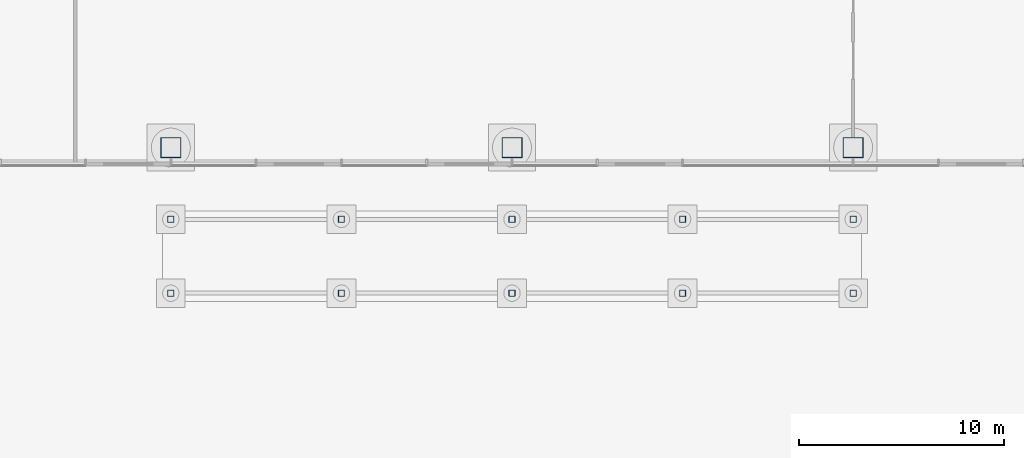
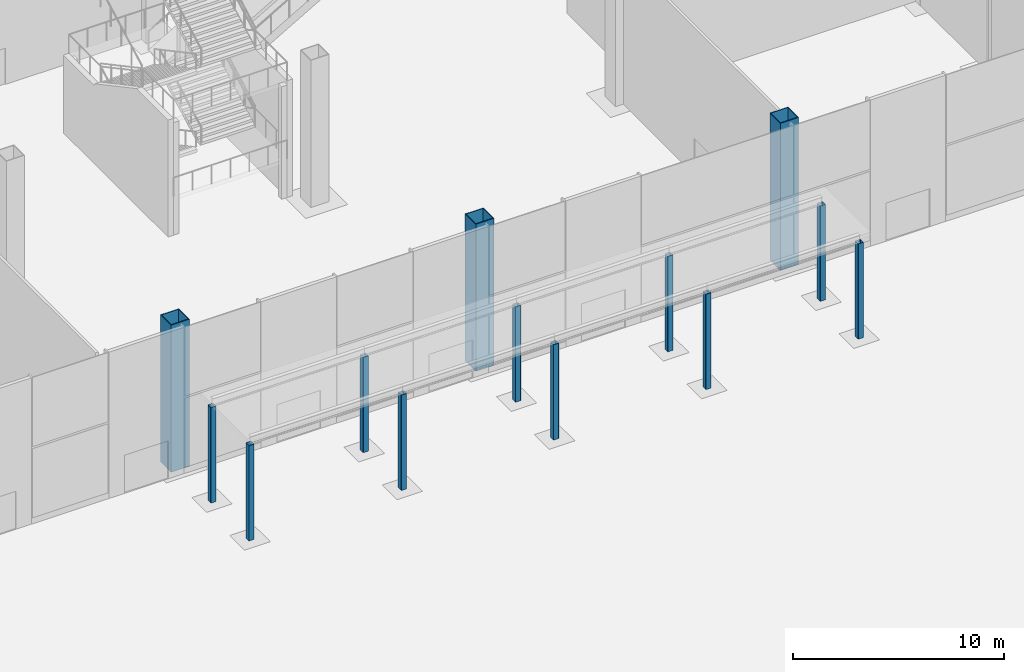
# One storey, part 16 of 113: 13 columns.
"""IFC4 building model written with IfcOpenShell, lengths in metres."""

import ifcopenshell
import ifcopenshell.guid

model = None  # the IFC model being written
_history = None  # IfcOwnerHistory: only IFC2X3 demands one
_inside = {}  # id of a spatial element -> (the spatial element, [elements in it])
_under = {}  # id of a project, library or spatial element -> (it, [spatial elements below it])
_declared = {}  # id of a project -> (the project, [libraries it declares])
_typed = {}  # id of a type object -> (the type object, [elements of that type])
_made_of = {}  # id of a material, layer set ... -> (it, [elements and type objects made of it])


def new_model(schema):
    """Start an empty IFC model of exactly this schema.

    Asked for "IFC4X3", IfcOpenShell would pick the latest addendum, in which some entities
    have other attributes; the version numbers below select the first issue.
    IFC2X3 requires an IfcOwnerHistory on every rooted entity: one is made here for all.
    """
    global model, _history
    if schema == "IFC4X3":
        model = ifcopenshell.file(schema_version=(4, 3, 0, 0))
    else:
        model = ifcopenshell.file(schema=schema)
    _inside.clear()
    _under.clear()
    _declared.clear()
    _typed.clear()
    _made_of.clear()
    _history = None
    if model.schema == "IFC2X3":
        org = make("IfcOrganization", Name="unknown")
        user = make(
            "IfcPersonAndOrganization",
            ThePerson=make("IfcPerson", FamilyName="unknown"),
            TheOrganization=org,
        )
        app = make(
            "IfcApplication",
            ApplicationDeveloper=org,
            Version="unknown",
            ApplicationFullName="unknown",
            ApplicationIdentifier="unknown",
        )
        _history = make(
            "IfcOwnerHistory",
            OwningUser=user,
            OwningApplication=app,
            ChangeAction="ADDED",
            CreationDate=0,
        )
    return model


def make(cls, **values):
    """One entity of the class cls with the attributes given. An attribute that is None is left unset."""
    return model.create_entity(
        cls, **{name: value for name, value in values.items() if value is not None}
    )


def rooted(cls, **values):
    """An entity with a GlobalId (a new one), such as an element, a storey or a relation."""
    return make(cls, GlobalId=ifcopenshell.guid.new(), OwnerHistory=_history, **values)


def si_unit(unit_type, name, prefix=None):
    """IfcSIUnit, for example si_unit("LENGTHUNIT", "METRE", prefix="MILLI")."""
    return make("IfcSIUnit", UnitType=unit_type, Prefix=prefix, Name=name)


def assignment(units):
    """IfcUnitAssignment: the units of a project."""
    return None if units is None else make("IfcUnitAssignment", Units=units)


def point(xyz):
    """IfcCartesianPoint."""
    return None if xyz is None else make("IfcCartesianPoint", Coordinates=xyz)


def direction(xyz):
    """IfcDirection."""
    return None if xyz is None else make("IfcDirection", DirectionRatios=xyz)


def frame(location, z_axis=None, x_axis=None):
    """IfcAxis2Placement3D, a coordinate frame: its origin and axes. An axis left out is left unset."""
    return make(
        "IfcAxis2Placement3D",
        Location=point(location),
        Axis=direction(z_axis),
        RefDirection=direction(x_axis),
    )


def frame_2d(location, x_axis=None):
    """IfcAxis2Placement2D, a coordinate frame in the plane: its origin and x axis."""
    return make(
        "IfcAxis2Placement2D", Location=point(location), RefDirection=direction(x_axis)
    )


def origin():
    """The frame at (0, 0, 0) with its axes left unset."""
    return frame((0.0, 0.0, 0.0))


def origin_2d():
    """The frame at (0, 0) in the plane with its x axis left unset."""
    return frame_2d((0.0, 0.0))


def place(relative_to, where):
    """IfcLocalPlacement: puts the frame where relative to a parent placement (None: the world)."""
    return make(
        "IfcLocalPlacement", PlacementRelTo=relative_to, RelativePlacement=where
    )


def context(
    kind, dimensions, precision=None, world=None, true_north=None, identifier=None
):
    """IfcGeometricRepresentationContext, for example the 3D "Model" context."""
    return make(
        "IfcGeometricRepresentationContext",
        ContextIdentifier=identifier,
        ContextType=kind,
        CoordinateSpaceDimension=dimensions,
        Precision=precision,
        WorldCoordinateSystem=world,
        TrueNorth=true_north,
    )


def subcontext(parent, identifier, kind, view, scale=None):
    """IfcGeometricRepresentationSubContext, for example "Body" below "Model"."""
    return make(
        "IfcGeometricRepresentationSubContext",
        ContextIdentifier=identifier,
        ContextType=kind,
        ParentContext=parent,
        TargetScale=scale,
        TargetView=view,
    )


def project(units=None, contexts=None):
    """IfcProject with its units and contexts."""
    return rooted(
        "IfcProject",
        Name="project",
        RepresentationContexts=contexts,
        UnitsInContext=assignment(units),
    )


def spatial(cls, under=None, at=None, **own):
    """A site, building, storey or space (cls), placed at a placement, below another one or the project."""
    s = rooted(cls, ObjectPlacement=at, **own)
    if under is not None:
        _under.setdefault(under.id(), (under, []))[1].append(s)
    return s


def profile(cls, at=None, kind="AREA", **sizes):
    """A parametric profile (cls). Its sizes go by their IFC names, for example OverallWidth=200.0."""
    return make(cls, ProfileType=kind, Position=at, **sizes)


def hollow_rectangle(**sizes):
    """IfcRectangleHollowProfileDef."""
    return profile("IfcRectangleHollowProfileDef", **sizes)


def extrude(swept, where, along, depth):
    """IfcExtrudedAreaSolid: the profile swept, set in the frame where, extruded along a direction by depth."""
    return make(
        "IfcExtrudedAreaSolid",
        SweptArea=swept,
        Position=where,
        ExtrudedDirection=direction(along),
        Depth=depth,
    )


def shape(context_of_items, identifier, shape_type, items):
    """IfcShapeRepresentation: the items that make up one representation, for example the "Body"."""
    return make(
        "IfcShapeRepresentation",
        ContextOfItems=context_of_items,
        RepresentationIdentifier=identifier,
        RepresentationType=shape_type,
        Items=items,
    )


def material(Name=None, Category=None):
    """IfcMaterial."""
    return make("IfcMaterial", Name=Name, Category=Category)


def material_profile(
    of_material, cross_section, Name=None, Category=None, Priority=None
):
    """IfcMaterialProfile: a cross section and its material."""
    return make(
        "IfcMaterialProfile",
        Name=Name,
        Material=of_material,
        Profile=cross_section,
        Priority=Priority,
        Category=Category,
    )


def profile_set(profiles, Name=None, composite=None):
    """IfcMaterialProfileSet."""
    return make(
        "IfcMaterialProfileSet",
        Name=Name,
        MaterialProfiles=profiles,
        CompositeProfile=composite,
    )


def made_of(thing, what):
    """Note that an element or type object is made of a material, layer set ...; save() writes the relation."""
    if what is not None:
        _made_of.setdefault(what.id(), (what, []))[1].append(thing)
    return thing


def type_object(cls, material=None, **own):
    """A type object (cls), such as IfcWallType, which elements share."""
    return made_of(rooted(cls, **own), material)


def element(
    cls,
    number,
    at=None,
    inside=None,
    cuts=None,
    type_object=None,
    material=None,
    context=None,
    identifier="Body",
    shape_type=None,
    held_by="IfcProductDefinitionShape",
    body=None,
    shapes=None,
    **own,
):
    """One element of the class cls, such as IfcWall. Its Tag is "e" and its number.

    at: its placement. inside: the storey or other place that contains it. cuts: it is an
    opening in that element (IfcRelVoidsElement). A single representation is given by context,
    identifier, shape_type and body (its items); several are given by shapes. held_by: the class
    of the entity that holds the representations. save() writes the other relations.
    """
    e = rooted(cls, Tag="e%d" % number, ObjectPlacement=at, **own)
    if body is not None:
        shapes = [shape(context, identifier, shape_type, body)]
    if shapes is not None:
        e.Representation = make(held_by, Representations=shapes)
    if inside is not None:
        _inside.setdefault(inside.id(), (inside, []))[1].append(e)
    if cuts is not None:
        rooted(
            "IfcRelVoidsElement", RelatingBuildingElement=cuts, RelatedOpeningElement=e
        )
    if type_object is not None:
        _typed.setdefault(type_object.id(), (type_object, []))[1].append(e)
    return made_of(e, material)


def aggregate(whole, parts):
    """IfcRelAggregates: a whole, such as a stair, and the parts it consists of."""
    return rooted("IfcRelAggregates", RelatingObject=whole, RelatedObjects=parts)


def save(model, path):
    """Write the relations noted so far, then the file.

    IfcRelAggregates (storeys below a building ...), IfcRelContainedInSpatialStructure (elements
    in a storey), IfcRelDefinesByType, IfcRelAssociatesMaterial and IfcRelDeclares: one each for
    every whole, place, type object, material and project.
    """
    for whole, parts in _under.values():
        aggregate(whole, parts)
    for where, things in _inside.values():
        rooted(
            "IfcRelContainedInSpatialStructure",
            RelatedElements=things,
            RelatingStructure=where,
        )
    for kind, things in _typed.values():
        rooted("IfcRelDefinesByType", RelatedObjects=things, RelatingType=kind)
    for what, things in _made_of.values():
        rooted("IfcRelAssociatesMaterial", RelatedObjects=things, RelatingMaterial=what)
    for by, libraries in _declared.values():
        rooted("IfcRelDeclares", RelatingContext=by, RelatedDefinitions=libraries)
    model.write(path)


model = new_model("IFC4")

# Units and contexts
model_context = context("Model", 3, precision=1e-05, world=origin(), true_north=direction((0.0, 1.0)))
body_context = subcontext(model_context, "Body", "Model", "MODEL_VIEW")
ifc_project = project(units=[si_unit("LENGTHUNIT", "METRE"), si_unit("AREAUNIT", "SQUARE_METRE"), si_unit("VOLUMEUNIT", "CUBIC_METRE"), si_unit("PLANEANGLEUNIT", "RADIAN"), si_unit("MASSUNIT", "GRAM", prefix="KILO")], contexts=[model_context])

# Site, building, storey
site_placement = place(None, origin())
site = spatial("IfcSite", under=ifc_project, at=site_placement, CompositionType="ELEMENT")
building_placement = place(site_placement, origin())
building = spatial("IfcBuilding", under=site, at=building_placement, Name="Hakoniwa Tower and Hamabe Station Hall", CompositionType="ELEMENT")
storey_placement = place(building_placement, origin())
storey = spatial("IfcBuildingStorey", under=building, at=storey_placement, Name="L01", CompositionType="ELEMENT", Elevation=0.0)

# Columns
ifc_material_1 = material(Name="Steel BCR295", Category="steel")
ifc_material_profile_1 = material_profile(ifc_material_1, hollow_rectangle(XDim=0.300048828125, YDim=0.300048828125, WallThickness=0.009033203125, InnerFilletRadius=0.013427734375, OuterFilletRadius=0.0224609375, at=origin_2d()), Name="BCR-300x300x9")
ifc_profile_set_1 = profile_set([ifc_material_profile_1], Name="Steel BCR295")
column_type_1 = type_object("IfcColumnType", Name="CANOPY COLUMN BCR-300x300x9", PredefinedType="COLUMN", material=ifc_profile_set_1)
for number, where, z_axis, x_axis, name in (
    (1, (110.909912109375, -26.89990234375, 0.0), (0.0, 0.0, 1.0), (1.0, 0.0, 0.0), "Canopy column S11"),
    (2, (119.22998046875, -26.89990234375, 0.0), (0.0, 0.0, 1.0), (1.0, 0.0, 0.0), "Canopy column S12"),
    (3, (127.550048828125, -26.89990234375, 0.0), (0.0, 0.0, 1.0), (1.0, 0.0, 0.0), "Canopy column S13"),
    (4, (135.8701171875, -26.89990234375, 0.0), (0.0, 0.0, 1.0), (1.0, 0.0, 0.0), "Canopy column S14"),
    (5, (144.18994140625, -26.89990234375, 0.0), (0.0, 0.0, 1.0), (1.0, 0.0, 0.0), "Canopy column S15"),
    (6, (110.909912109375, -30.5, 0.0), (0.0, 0.0, 1.0), (1.0, 0.0, 0.0), "Canopy column S21"),
    (7, (119.22998046875, -30.5, 0.0), (0.0, 0.0, 1.0), (1.0, 0.0, 0.0), "Canopy column S22"),
    (8, (127.550048828125, -30.5, 0.0), (0.0, 0.0, 1.0), (1.0, 0.0, 0.0), "Canopy column S23"),
    (9, (135.8701171875, -30.5, 0.0), (0.0, 0.0, 1.0), (1.0, 0.0, 0.0), "Canopy column S24"),
    (10, (144.18994140625, -30.5, 0.0), (0.0, 0.0, 1.0), (1.0, 0.0, 0.0), "Canopy column S25"),
):
    element("IfcColumn", number, at=place(storey_placement, frame(where, z_axis=z_axis, x_axis=x_axis)), inside=storey, type_object=column_type_1, Name=name, PredefinedType="COLUMN", context=body_context, shape_type="SweptSolid", body=[
        extrude(hollow_rectangle(XDim=0.300048828125, YDim=0.300048828125, WallThickness=0.009033203125, InnerFilletRadius=0.013427734375, OuterFilletRadius=0.0224609375, at=origin_2d()), origin(), (0.0, 0.0, 1.0), 5.5),
    ])
ifc_material_2 = material(Name="Steel BCP325", Category="steel")
ifc_material_profile_2 = material_profile(ifc_material_2, hollow_rectangle(XDim=1.0, YDim=1.0, WallThickness=0.0400390625, at=origin_2d()), Name="STATION BOX COLUMN 1000X1000X40")
ifc_profile_set_2 = profile_set([ifc_material_profile_2], Name="Steel BCP325")
column_type_2 = type_object("IfcColumnType", Name="STATION BOX COLUMN 1000X1000X40", PredefinedType="COLUMN", material=ifc_profile_set_2)
for number, where, z_axis, x_axis, name in (
    (11, (110.909912109375, -23.39990234375, 0.0), (0.0, 0.0, 1.0), (1.0, 0.0, 0.0), "Station column S4A"),
    (12, (127.550048828125, -23.39990234375, 0.0), (0.0, 0.0, 1.0), (1.0, 0.0, 0.0), "Station column S6A"),
    (13, (144.18994140625, -23.39990234375, 0.0), (0.0, 0.0, 1.0), (1.0, 0.0, 0.0), "Station column S8A"),
):
    element("IfcColumn", number, at=place(storey_placement, frame(where, z_axis=z_axis, x_axis=x_axis)), inside=storey, type_object=column_type_2, Name=name, PredefinedType="COLUMN", context=body_context, shape_type="SweptSolid", body=[
        extrude(hollow_rectangle(XDim=1.0, YDim=1.0, WallThickness=0.0400390625, at=origin_2d()), origin(), (0.0, 0.0, 1.0), 8.5),
    ])

save(model, "model.ifc")
